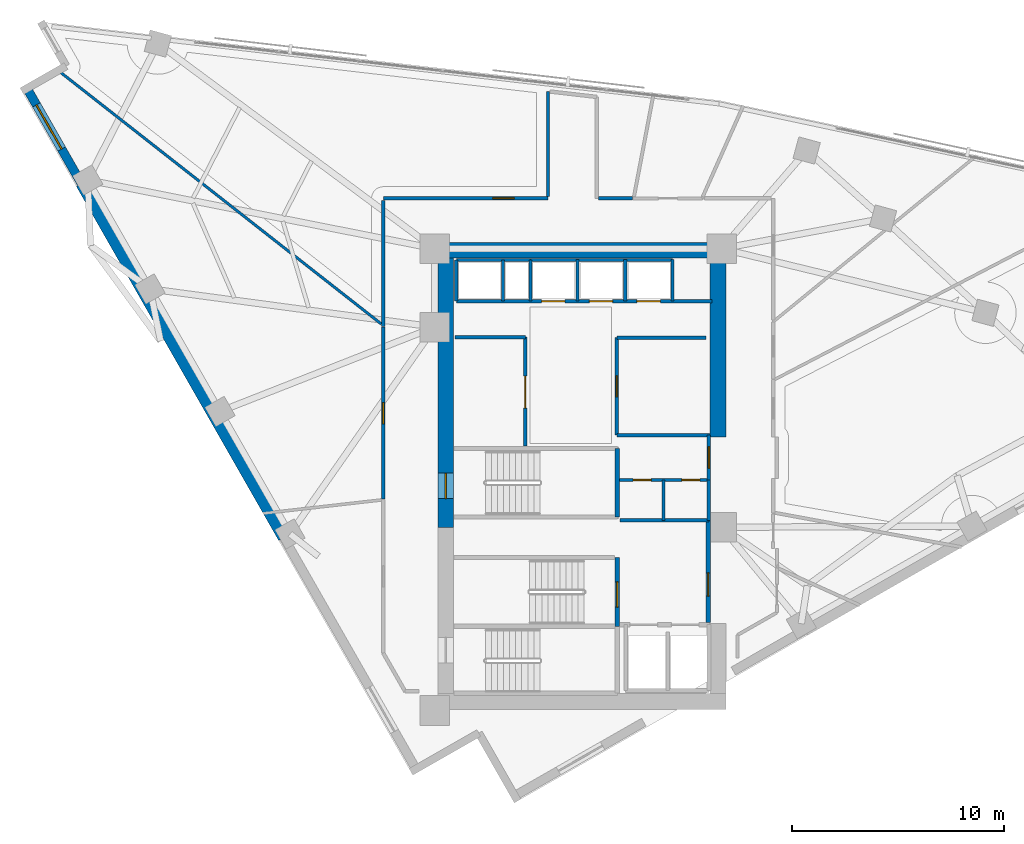
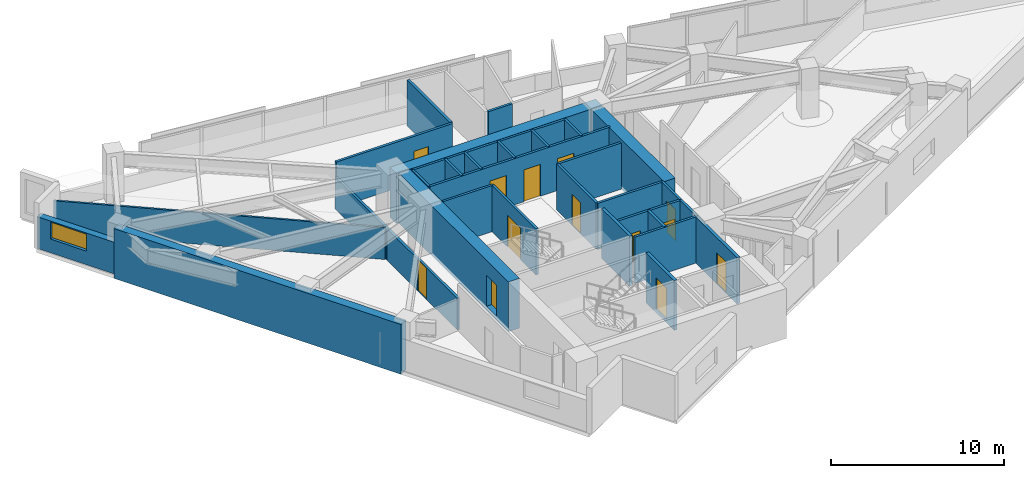
# One storey, part 9 of 13: 33 walls, 13 doors, 1 window, 14 openings.
"""IFC4 building model written with IfcOpenShell, lengths in metres."""

import ifcopenshell
import ifcopenshell.guid

model = None  # the IFC model being written
_history = None  # IfcOwnerHistory: only IFC2X3 demands one
_inside = {}  # id of a spatial element -> (the spatial element, [elements in it])
_under = {}  # id of a project, library or spatial element -> (it, [spatial elements below it])
_declared = {}  # id of a project -> (the project, [libraries it declares])
_typed = {}  # id of a type object -> (the type object, [elements of that type])
_made_of = {}  # id of a material, layer set ... -> (it, [elements and type objects made of it])


def new_model(schema):
    """Start an empty IFC model of exactly this schema.

    Asked for "IFC4X3", IfcOpenShell would pick the latest addendum, in which some entities
    have other attributes; the version numbers below select the first issue.
    IFC2X3 requires an IfcOwnerHistory on every rooted entity: one is made here for all.
    """
    global model, _history
    if schema == "IFC4X3":
        model = ifcopenshell.file(schema_version=(4, 3, 0, 0))
    else:
        model = ifcopenshell.file(schema=schema)
    _inside.clear()
    _under.clear()
    _declared.clear()
    _typed.clear()
    _made_of.clear()
    _history = None
    if model.schema == "IFC2X3":
        org = make("IfcOrganization", Name="unknown")
        user = make(
            "IfcPersonAndOrganization",
            ThePerson=make("IfcPerson", FamilyName="unknown"),
            TheOrganization=org,
        )
        app = make(
            "IfcApplication",
            ApplicationDeveloper=org,
            Version="unknown",
            ApplicationFullName="unknown",
            ApplicationIdentifier="unknown",
        )
        _history = make(
            "IfcOwnerHistory",
            OwningUser=user,
            OwningApplication=app,
            ChangeAction="ADDED",
            CreationDate=0,
        )
    return model


def make(cls, **values):
    """One entity of the class cls with the attributes given. An attribute that is None is left unset."""
    return model.create_entity(
        cls, **{name: value for name, value in values.items() if value is not None}
    )


def rooted(cls, **values):
    """An entity with a GlobalId (a new one), such as an element, a storey or a relation."""
    return make(cls, GlobalId=ifcopenshell.guid.new(), OwnerHistory=_history, **values)


def si_unit(unit_type, name, prefix=None):
    """IfcSIUnit, for example si_unit("LENGTHUNIT", "METRE", prefix="MILLI")."""
    return make("IfcSIUnit", UnitType=unit_type, Prefix=prefix, Name=name)


def assignment(units):
    """IfcUnitAssignment: the units of a project."""
    return None if units is None else make("IfcUnitAssignment", Units=units)


def point(xyz):
    """IfcCartesianPoint."""
    return None if xyz is None else make("IfcCartesianPoint", Coordinates=xyz)


def direction(xyz):
    """IfcDirection."""
    return None if xyz is None else make("IfcDirection", DirectionRatios=xyz)


def frame(location, z_axis=None, x_axis=None):
    """IfcAxis2Placement3D, a coordinate frame: its origin and axes. An axis left out is left unset."""
    return make(
        "IfcAxis2Placement3D",
        Location=point(location),
        Axis=direction(z_axis),
        RefDirection=direction(x_axis),
    )


def frame_2d(location, x_axis=None):
    """IfcAxis2Placement2D, a coordinate frame in the plane: its origin and x axis."""
    return make(
        "IfcAxis2Placement2D", Location=point(location), RefDirection=direction(x_axis)
    )


def origin():
    """The frame at (0, 0, 0) with its axes left unset."""
    return frame((0.0, 0.0, 0.0))


def place(relative_to, where):
    """IfcLocalPlacement: puts the frame where relative to a parent placement (None: the world)."""
    return make(
        "IfcLocalPlacement", PlacementRelTo=relative_to, RelativePlacement=where
    )


def context(
    kind, dimensions, precision=None, world=None, true_north=None, identifier=None
):
    """IfcGeometricRepresentationContext, for example the 3D "Model" context."""
    return make(
        "IfcGeometricRepresentationContext",
        ContextIdentifier=identifier,
        ContextType=kind,
        CoordinateSpaceDimension=dimensions,
        Precision=precision,
        WorldCoordinateSystem=world,
        TrueNorth=true_north,
    )


def subcontext(parent, identifier, kind, view, scale=None):
    """IfcGeometricRepresentationSubContext, for example "Body" below "Model"."""
    return make(
        "IfcGeometricRepresentationSubContext",
        ContextIdentifier=identifier,
        ContextType=kind,
        ParentContext=parent,
        TargetScale=scale,
        TargetView=view,
    )


def project(units=None, contexts=None):
    """IfcProject with its units and contexts."""
    return rooted(
        "IfcProject",
        Name="project",
        RepresentationContexts=contexts,
        UnitsInContext=assignment(units),
    )


def spatial(cls, under=None, at=None, **own):
    """A site, building, storey or space (cls), placed at a placement, below another one or the project."""
    s = rooted(cls, ObjectPlacement=at, **own)
    if under is not None:
        _under.setdefault(under.id(), (under, []))[1].append(s)
    return s


def profile(cls, at=None, kind="AREA", **sizes):
    """A parametric profile (cls). Its sizes go by their IFC names, for example OverallWidth=200.0."""
    return make(cls, ProfileType=kind, Position=at, **sizes)


def rectangle(**sizes):
    """IfcRectangleProfileDef."""
    return profile("IfcRectangleProfileDef", **sizes)


def extrude(swept, where, along, depth):
    """IfcExtrudedAreaSolid: the profile swept, set in the frame where, extruded along a direction by depth."""
    return make(
        "IfcExtrudedAreaSolid",
        SweptArea=swept,
        Position=where,
        ExtrudedDirection=direction(along),
        Depth=depth,
    )


def shape(context_of_items, identifier, shape_type, items):
    """IfcShapeRepresentation: the items that make up one representation, for example the "Body"."""
    return make(
        "IfcShapeRepresentation",
        ContextOfItems=context_of_items,
        RepresentationIdentifier=identifier,
        RepresentationType=shape_type,
        Items=items,
    )


def material(Name=None, Category=None):
    """IfcMaterial."""
    return make("IfcMaterial", Name=Name, Category=Category)


def layer(
    of_material, thickness, ventilated=None, Name=None, Category=None, Priority=None
):
    """IfcMaterialLayer: one layer of a wall or slab, of a material (None: an air gap)."""
    return make(
        "IfcMaterialLayer",
        Material=of_material,
        LayerThickness=thickness,
        IsVentilated=ventilated,
        Name=Name,
        Category=Category,
        Priority=Priority,
    )


def layer_set(layers, Name=None):
    """IfcMaterialLayerSet."""
    return make("IfcMaterialLayerSet", MaterialLayers=layers, LayerSetName=Name)


def made_of(thing, what):
    """Note that an element or type object is made of a material, layer set ...; save() writes the relation."""
    if what is not None:
        _made_of.setdefault(what.id(), (what, []))[1].append(thing)
    return thing


def type_object(cls, material=None, **own):
    """A type object (cls), such as IfcWallType, which elements share."""
    return made_of(rooted(cls, **own), material)


def element(
    cls,
    number,
    at=None,
    inside=None,
    cuts=None,
    type_object=None,
    material=None,
    context=None,
    identifier="Body",
    shape_type=None,
    held_by="IfcProductDefinitionShape",
    body=None,
    shapes=None,
    **own,
):
    """One element of the class cls, such as IfcWall. Its Tag is "e" and its number.

    at: its placement. inside: the storey or other place that contains it. cuts: it is an
    opening in that element (IfcRelVoidsElement). A single representation is given by context,
    identifier, shape_type and body (its items); several are given by shapes. held_by: the class
    of the entity that holds the representations. save() writes the other relations.
    """
    e = rooted(cls, Tag="e%d" % number, ObjectPlacement=at, **own)
    if body is not None:
        shapes = [shape(context, identifier, shape_type, body)]
    if shapes is not None:
        e.Representation = make(held_by, Representations=shapes)
    if inside is not None:
        _inside.setdefault(inside.id(), (inside, []))[1].append(e)
    if cuts is not None:
        rooted(
            "IfcRelVoidsElement", RelatingBuildingElement=cuts, RelatedOpeningElement=e
        )
    if type_object is not None:
        _typed.setdefault(type_object.id(), (type_object, []))[1].append(e)
    return made_of(e, material)


def fill(opening, filler):
    """IfcRelFillsElement: the door or window that sits in an opening."""
    return rooted(
        "IfcRelFillsElement",
        RelatingOpeningElement=opening,
        RelatedBuildingElement=filler,
    )


def aggregate(whole, parts):
    """IfcRelAggregates: a whole, such as a stair, and the parts it consists of."""
    return rooted("IfcRelAggregates", RelatingObject=whole, RelatedObjects=parts)


def save(model, path):
    """Write the relations noted so far, then the file.

    IfcRelAggregates (storeys below a building ...), IfcRelContainedInSpatialStructure (elements
    in a storey), IfcRelDefinesByType, IfcRelAssociatesMaterial and IfcRelDeclares: one each for
    every whole, place, type object, material and project.
    """
    for whole, parts in _under.values():
        aggregate(whole, parts)
    for where, things in _inside.values():
        rooted(
            "IfcRelContainedInSpatialStructure",
            RelatedElements=things,
            RelatingStructure=where,
        )
    for kind, things in _typed.values():
        rooted("IfcRelDefinesByType", RelatedObjects=things, RelatingType=kind)
    for what, things in _made_of.values():
        rooted("IfcRelAssociatesMaterial", RelatedObjects=things, RelatingMaterial=what)
    for by, libraries in _declared.values():
        rooted("IfcRelDeclares", RelatingContext=by, RelatedDefinitions=libraries)
    model.write(path)


model = new_model("IFC4")

# Units and contexts
model_context = context("Model", 3, precision=1e-05, world=origin(), true_north=direction((0.0, 1.0)))
body_context = subcontext(model_context, "Body", "Model", "MODEL_VIEW")
ifc_project = project(units=[si_unit("LENGTHUNIT", "METRE"), si_unit("AREAUNIT", "SQUARE_METRE"), si_unit("VOLUMEUNIT", "CUBIC_METRE"), si_unit("PLANEANGLEUNIT", "RADIAN"), si_unit("MASSUNIT", "GRAM", prefix="KILO")], contexts=[model_context])

# Site, building, storey
site_placement = place(None, origin())
site = spatial("IfcSite", under=ifc_project, at=site_placement, CompositionType="ELEMENT")
building_placement = place(site_placement, origin())
building = spatial("IfcBuilding", under=site, at=building_placement, Name="Narakoshi Arena Tower", CompositionType="ELEMENT")
storey_placement = place(building_placement, frame((0.0, 0.0, 229.06005859375)))
storey = spatial("IfcBuildingStorey", under=building, at=storey_placement, Name="L62", CompositionType="ELEMENT", Elevation=229.06005859375)

# Wall, opening, door
ifc_material_1 = material(Name="Concrete C50/60", Category="concrete")
ifc_layer_1 = layer(ifc_material_1, 0.75)
ifc_layer_set_1 = layer_set([ifc_layer_1], Name="Concrete C50/60")
wall_type_1 = type_object("IfcWallType", Name="WL-CORE-750", PredefinedType="SHEAR", material=ifc_layer_set_1)
wall_1_placement = place(storey_placement, frame((72.52490234375, 43.35009765625, -0.260009765625), z_axis=(0.0, 0.0, 1.0), x_axis=(0.0, 1.0, 0.0)))
wall_1 = element("IfcWall", 1, at=wall_1_placement, inside=storey, type_object=wall_type_1, Name="L62 Main Core Shear Wall CW-MN-W", PredefinedType="SHEAR", context=body_context, shape_type="SweptSolid", body=[
    extrude(rectangle(XDim=12.699951171875, YDim=0.75, at=frame_2d((6.35009765625, 0.0))), origin(), (0.0, 0.0, 1.0), 3.52001953125),
])
opening_1_placement = place(wall_1_placement, frame((1.35009765625, 0.0, 0.260009765625)))
opening_1 = element("IfcOpeningElement", 2, at=opening_1_placement, cuts=wall_1, Name="Opening D-03", PredefinedType="OPENING", context=body_context, shape_type="SweptSolid", body=[
    extrude(rectangle(XDim=1.199951171875, YDim=2.199951171875, at=frame_2d((0.60009765625, 1.10009765625))), frame((0.0, 0.385009765625, 0.0), z_axis=(0.0, -1.0, 0.0), x_axis=(1.0, 0.0, 0.0)), (0.0, 0.0, 1.0), 0.77001953125),
])
ifc_material_2 = material(Name="Painted galvanized steel", Category="steel")
door_type_1 = type_object("IfcDoorType", Name="DR-STR-1200", OperationType="NOTDEFINED", PredefinedType="USERDEFINED", material=ifc_material_2)
door_1_placement = place(opening_1_placement, frame((1.199951171875, 0.0, 0.0), z_axis=(0.0, 0.0, 1.0), x_axis=(-1.0, 0.0, 0.0)))
door_1 = element("IfcDoor", 3, at=door_1_placement, inside=storey, type_object=door_type_1, Name="DR-L62-006", ObjectType="EXITDOOR", OperationType="SINGLE_SWING_LEFT", OverallHeight=2.199951171875, OverallWidth=1.199951171875, PredefinedType="USERDEFINED", context=body_context, shape_type="SweptSolid", body=[
    extrude(rectangle(XDim=1.199951171875, YDim=2.199951171875, at=frame_2d((0.60009765625, 1.10009765625))), frame((0.0, 0.02490234375, 0.0), z_axis=(0.0, -1.0, 0.0), x_axis=(1.0, 0.0, 0.0)), (0.0, 0.0, 1.0), 0.050048828125),
])
fill(opening_1, door_1)

# Walls
wall_2_placement = place(storey_placement, frame((72.0, 56.425048828125, -0.260009765625), z_axis=(0.0, 0.0, 1.0), x_axis=(1.0, 0.0, 0.0)))
element("IfcWall", 4, at=wall_2_placement, inside=storey, type_object=wall_type_1, Name="L62 Main Core Shear Wall CW-MN-N", PredefinedType="SHEAR", context=body_context, shape_type="SweptSolid", body=[
    extrude(rectangle(XDim=13.75, YDim=0.75, at=frame_2d((6.875, 0.0))), origin(), (0.0, 0.0, 1.0), 3.52001953125),
])
wall_3_placement = place(storey_placement, frame((85.375, 47.60009765625, -0.260009765625), z_axis=(0.0, 0.0, 1.0), x_axis=(0.0, 1.0, 0.0)))
element("IfcWall", 5, at=wall_3_placement, inside=storey, type_object=wall_type_1, Name="L62 Main Core Shear Wall CW-MN-E", PredefinedType="SHEAR", context=body_context, shape_type="SweptSolid", body=[
    extrude(rectangle(XDim=8.449951171875, YDim=0.75, at=frame_2d((4.22509765625, 0.0))), origin(), (0.0, 0.0, 1.0), 3.52001953125),
])

# Wall, opening, door
ifc_material_3 = material(Name="Gypsum plasterboard fire-rated partition")
ifc_layer_2 = layer(ifc_material_3, 0.1650390625)
ifc_layer_set_2 = layer_set([ifc_layer_2], Name="Gypsum plasterboard fire-rated partition")
wall_type_2 = type_object("IfcWallType", Name="WL-CORR-165", PredefinedType="PARTITIONING", material=ifc_layer_set_2)
wall_4_placement = place(storey_placement, frame((84.949951171875, 45.580078125, 0.0), z_axis=(0.0, 0.0, 1.0), x_axis=(0.0, 1.0, 0.0)))
wall_4 = element("IfcWall", 6, at=wall_4_placement, inside=storey, type_object=wall_type_2, Name="L62 Core Wall CPAS-E", PredefinedType="PARTITIONING", context=body_context, shape_type="SweptSolid", body=[
    extrude(rectangle(XDim=2.119873046875, YDim=0.1650390625, at=frame_2d((1.06005859375, 0.0))), origin(), (0.0, 0.0, 1.0), 3.260009765625),
])
opening_2_placement = place(wall_4_placement, frame((0.56005859375, 0.0, 0.0)))
opening_2 = element("IfcOpeningElement", 7, at=opening_2_placement, cuts=wall_4, Name="Opening D-06", PredefinedType="OPENING", context=body_context, shape_type="SweptSolid", body=[
    extrude(rectangle(XDim=1.0, YDim=2.199951171875, at=frame_2d((0.5, 1.10009765625))), frame((0.0, 0.092529296875, 0.0), z_axis=(0.0, -1.0, 0.0), x_axis=(1.0, 0.0, 0.0)), (0.0, 0.0, 1.0), 0.18505859375),
])
ifc_material_4 = material(Name="Stained oak solid-core timber", Category="wood")
door_type_2 = type_object("IfcDoorType", Name="DR-OFF-1000", OperationType="NOTDEFINED", PredefinedType="DOOR", material=ifc_material_4)
door_2_placement = place(opening_2_placement, frame((1.0, 0.0, 0.0), z_axis=(0.0, 0.0, 1.0), x_axis=(-1.0, 0.0, 0.0)))
door_2 = element("IfcDoor", 8, at=door_2_placement, inside=storey, type_object=door_type_2, Name="DR-L62-007", OperationType="SINGLE_SWING_LEFT", OverallHeight=2.199951171875, OverallWidth=1.0, PredefinedType="DOOR", context=body_context, shape_type="SweptSolid", body=[
    extrude(rectangle(XDim=1.0, YDim=2.199951171875, at=frame_2d((0.5, 1.10009765625))), frame((0.0, 0.02490234375, 0.0), z_axis=(0.0, -1.0, 0.0), x_axis=(1.0, 0.0, 0.0)), (0.0, 0.0, 1.0), 0.050048828125),
])
fill(opening_2, door_2)

wall_5_placement = place(storey_placement, frame((77.35009765625, 58.87646484375, 0.0), z_axis=(0.0, 0.0, 1.0), x_axis=(-1.0, 0.0, 0.0)))
wall_5 = element("IfcWall", 9, at=wall_5_placement, inside=storey, type_object=wall_type_2, Name="L62 Corridor Partition 08-1", PredefinedType="PARTITIONING", context=body_context, shape_type="SweptSolid", body=[
    extrude(rectangle(XDim=7.776611328125, YDim=0.1650390625, at=frame_2d((3.88818359375, 0.0))), origin(), (0.0, 0.0, 1.0), 3.260009765625),
])
opening_3_placement = place(wall_5_placement, frame((1.602783203125, 0.0, 0.0)))
opening_3 = element("IfcOpeningElement", 10, at=opening_3_placement, cuts=wall_5, Name="Opening D-06", PredefinedType="OPENING", context=body_context, shape_type="SweptSolid", body=[
    extrude(rectangle(XDim=1.0, YDim=2.199951171875, at=frame_2d((0.5, 1.10009765625))), frame((0.0, 0.092529296875, 0.0), z_axis=(0.0, -1.0, 0.0), x_axis=(1.0, 0.0, 0.0)), (0.0, 0.0, 1.0), 0.18505859375),
])
door_3_placement = place(opening_3_placement, frame((1.0, 0.0, 0.0), z_axis=(0.0, 0.0, 1.0), x_axis=(-1.0, 0.0, 0.0)))
door_3 = element("IfcDoor", 11, at=door_3_placement, inside=storey, type_object=door_type_2, Name="DR-L62-022", OperationType="SINGLE_SWING_LEFT", OverallHeight=2.199951171875, OverallWidth=1.0, PredefinedType="DOOR", context=body_context, shape_type="SweptSolid", body=[
    extrude(rectangle(XDim=1.0, YDim=2.199951171875, at=frame_2d((0.5, 1.10009765625))), frame((0.0, 0.02490234375, 0.0), z_axis=(0.0, -1.0, 0.0), x_axis=(1.0, 0.0, 0.0)), (0.0, 0.0, 1.0), 0.050048828125),
])
fill(opening_3, door_3)

# Walls
wall_6_placement = place(storey_placement, frame((69.573486328125, 58.781982421875, 0.0), z_axis=(0.0, 0.0, 1.0), x_axis=(0.0, -1.0, 0.0)))
element("IfcWall", 12, at=wall_6_placement, inside=storey, type_object=wall_type_2, Name="L62 Corridor Partition 08-2", PredefinedType="PARTITIONING", context=body_context, shape_type="SweptSolid", body=[
    extrude(rectangle(XDim=5.952880859375, YDim=0.1650390625, at=frame_2d((2.9765625, 0.0))), origin(), (0.0, 0.0, 1.0), 2.237060546875),
])
wall_7_placement = place(storey_placement, frame((77.35009765625, 63.930908203125, 0.0), z_axis=(0.0, 0.0, 1.0), x_axis=(0.0, -1.0, 0.0)))
element("IfcWall", 13, at=wall_7_placement, inside=storey, type_object=wall_type_2, Name="L62 Corridor Partition 08-3", PredefinedType="PARTITIONING", context=body_context, shape_type="SweptSolid", body=[
    extrude(rectangle(XDim=4.9599609375, YDim=0.1650390625, at=frame_2d((2.47998046875, 0.0))), origin(), (0.0, 0.0, 1.0), 3.260009765625),
])
wall_8_placement = place(storey_placement, frame((81.33251953125, 58.87646484375, 0.0), z_axis=(0.0, 0.0, 1.0), x_axis=(-1.0, 0.0, 0.0)))
element("IfcWall", 14, at=wall_8_placement, inside=storey, type_object=wall_type_2, Name="L62 Corridor Partition 08-6", PredefinedType="PARTITIONING", context=body_context, shape_type="SweptSolid", body=[
    extrude(rectangle(XDim=1.588134765625, YDim=0.1650390625, at=frame_2d((0.7939453125, 0.0))), origin(), (0.0, 0.0, 1.0), 3.260009765625),
])

# Wall, opening, door
wall_9_placement = place(storey_placement, frame((69.573486328125, 52.798828125, 0.0), z_axis=(0.0, 0.0, 1.0), x_axis=(0.0, -1.0, 0.0)))
wall_9 = element("IfcWall", 15, at=wall_9_placement, inside=storey, type_object=wall_type_2, Name="L62 Corridor Partition 09-1", PredefinedType="PARTITIONING", context=body_context, shape_type="SweptSolid", body=[
    extrude(rectangle(XDim=8.125244140625, YDim=0.1650390625, at=frame_2d((4.0625, 0.0))), origin(), (0.0, 0.0, 1.0), 2.237060546875),
])
opening_4_placement = place(wall_9_placement, frame((3.5625, 0.0, 0.0)))
opening_4 = element("IfcOpeningElement", 16, at=opening_4_placement, cuts=wall_9, Name="Opening D-06", PredefinedType="OPENING", context=body_context, shape_type="SweptSolid", body=[
    extrude(rectangle(XDim=1.0, YDim=2.199951171875, at=frame_2d((0.5, 1.10009765625))), frame((0.0, 0.092529296875, 0.0), z_axis=(0.0, -1.0, 0.0), x_axis=(1.0, 0.0, 0.0)), (0.0, 0.0, 1.0), 0.18505859375),
])
door_4_placement = place(opening_4_placement, frame((1.0, 0.0, 0.0), z_axis=(0.0, 0.0, 1.0), x_axis=(-1.0, 0.0, 0.0)))
door_4 = element("IfcDoor", 17, at=door_4_placement, inside=storey, type_object=door_type_2, Name="DR-L62-023", OperationType="SINGLE_SWING_RIGHT", OverallHeight=2.199951171875, OverallWidth=1.0, PredefinedType="DOOR", context=body_context, shape_type="SweptSolid", body=[
    extrude(rectangle(XDim=1.0, YDim=2.199951171875, at=frame_2d((0.5, 1.10009765625))), frame((0.0, 0.02490234375, 0.0), z_axis=(0.0, -1.0, 0.0), x_axis=(1.0, 0.0, 0.0)), (0.0, 0.0, 1.0), 0.050048828125),
])
fill(opening_4, door_4)

# Walls
ifc_layer_3 = layer(ifc_material_1, 0.550048828125)
ifc_layer_set_3 = layer_set([ifc_layer_3], Name="Concrete C50/60")
wall_type_3 = type_object("IfcWallType", Name="WL-LEG-550", PredefinedType="SHEAR", material=ifc_layer_set_3)
wall_10_placement = place(storey_placement, frame((55.3251953125, 59.5703125, -0.260009765625), z_axis=(0.0, 0.0, 1.0), x_axis=(0.496211351597, -0.868201759124, 0.0)))
element("IfcWall", 18, at=wall_10_placement, inside=storey, type_object=wall_type_3, Name="L62 Architectural Concrete Structural Wall LEGB-2", PredefinedType="SHEAR", context=body_context, shape_type="SweptSolid", body=[
    extrude(rectangle(XDim=19.242919921875, YDim=0.550048828125, at=frame_2d((9.62158203125, 0.0))), origin(), (0.0, 0.0, 1.0), 3.52001953125),
])
ifc_layer_4 = layer(ifc_material_3, 0.125)
ifc_layer_set_4 = layer_set([ifc_layer_4], Name="Gypsum plasterboard fire-rated partition")
wall_type_4 = type_object("IfcWallType", Name="WL-PART-125", PredefinedType="PARTITIONING", material=ifc_layer_set_4)
wall_11_placement = place(storey_placement, frame((69.47900390625, 52.948974609375, 0.0), z_axis=(0.0, 0.0, 1.0), x_axis=(-0.786818994279, 0.617183822084, 0.0)))
element("IfcWall", 19, at=wall_11_placement, inside=storey, type_object=wall_type_4, Name="L62 Inter-Room Partition 08-09", PredefinedType="PARTITIONING", context=body_context, shape_type="SweptSolid", body=[
    extrude(rectangle(XDim=19.3818359375, YDim=0.125, at=frame_2d((9.69091796875, 0.0))), origin(), (0.0, 0.0, 1.0), 2.237060546875),
])

# Wall, opening, window
ifc_material_5 = material(Name="Precast concrete C45/55", Category="concrete")
ifc_layer_5 = layer(ifc_material_5, 0.419921875)
ifc_layer_set_5 = layer_set([ifc_layer_5], Name="Precast concrete C45/55")
wall_type_5 = type_object("IfcWallType", Name="WL-POD-420", PredefinedType="SOLIDWALL", material=ifc_layer_set_5)
wall_12_placement = place(storey_placement, frame((52.75439453125, 64.068359375, 0.0), z_axis=(0.0, 0.0, 1.0), x_axis=(0.496209984367, -0.868202540548, 0.0)))
wall_12 = element("IfcWall", 20, at=wall_12_placement, inside=storey, type_object=wall_type_5, Name="L62 Architectural Concrete Facade Wall LEGB-1", PredefinedType="SOLIDWALL", context=body_context, shape_type="SweptSolid", body=[
    extrude(rectangle(XDim=5.180908203125, YDim=0.419921875, at=frame_2d((2.59033203125, 0.0))), origin(), (0.0, 0.0, 1.0), 2.237060546875),
])
opening_5_placement = place(wall_12_placement, frame((0.89990234375, 0.0, 0.95703125)))
opening_5 = element("IfcOpeningElement", 21, at=opening_5_placement, cuts=wall_12, Name="Opening WN-04", PredefinedType="OPENING", context=body_context, shape_type="SweptSolid", body=[
    extrude(rectangle(XDim=2.39990234375, YDim=1.199951171875, at=frame_2d((1.199951171875, 0.60009765625))), frame((0.0, 0.219970703125, 0.0), z_axis=(0.0, -1.0, 0.0), x_axis=(1.0, 0.0, 0.0)), (0.0, 0.0, 1.0), 0.43994140625),
])
ifc_material_6 = material(Name="Bronze-tinted low-E laminated glass", Category="glass")
window_type = type_object("IfcWindowType", Name="WIN-SLT-24x12", PartitioningType="SINGLE_PANEL", PredefinedType="WINDOW", material=ifc_material_6)
window_placement = place(opening_5_placement, origin())
window = element("IfcWindow", 22, at=window_placement, inside=storey, type_object=window_type, Name="L62 LEGB1 Horizontal Slot Window 1", OverallHeight=1.199951171875, OverallWidth=2.39990234375, PartitioningType="SINGLE_PANEL", PredefinedType="WINDOW", context=body_context, shape_type="SweptSolid", body=[
    extrude(rectangle(XDim=2.39990234375, YDim=1.199951171875, at=frame_2d((1.199951171875, 0.60009765625))), frame((0.0, 0.030029296875, 0.0), z_axis=(0.0, -1.0, 0.0), x_axis=(1.0, 0.0, 0.0)), (0.0, 0.0, 1.0), 0.06005859375),
])
fill(opening_5, window)

# Wall
ifc_material_7 = material(Name="Concrete C40/50", Category="concrete")
ifc_layer_6 = layer(ifc_material_7, 0.280029296875)
ifc_layer_set_6 = layer_set([ifc_layer_6], Name="Concrete C40/50")
wall_type_6 = type_object("IfcWallType", Name="WL-RISER-280", PredefinedType="PLUMBINGWALL", material=ifc_layer_set_6)
wall_13_placement = place(storey_placement, frame((84.949951171875, 43.679931640625, 0.0), z_axis=(0.0, 0.0, 1.0), x_axis=(0.0, 1.0, 0.0)))
element("IfcWall", 23, at=wall_13_placement, inside=storey, type_object=wall_type_6, Name="L62 Core Wall RSR-E", PredefinedType="PLUMBINGWALL", context=body_context, shape_type="SweptSolid", body=[
    extrude(rectangle(XDim=1.900146484375, YDim=0.1650390625, at=frame_2d((0.9501953125, 0.0))), origin(), (0.0, 0.0, 1.0), 3.260009765625),
])

# Wall, openings, doors
wall_14_placement = place(storey_placement, frame((80.719970703125, 45.580078125, 0.0), z_axis=(0.0, 0.0, 1.0), x_axis=(1.0, 0.0, 0.0)))
wall_14 = element("IfcWall", 24, at=wall_14_placement, inside=storey, type_object=wall_type_6, Name="L62 Core Wall RSR-N", PredefinedType="PLUMBINGWALL", context=body_context, shape_type="SweptSolid", body=[
    extrude(rectangle(XDim=4.22998046875, YDim=0.159912109375, at=frame_2d((2.114990234375, 0.0))), origin(), (0.0, 0.0, 1.0), 3.260009765625),
])
opening_6_placement = place(wall_14_placement, frame((0.64990234375, 0.0, 0.0)))
opening_6 = element("IfcOpeningElement", 25, at=opening_6_placement, cuts=wall_14, Name="Opening D-10", PredefinedType="OPENING", context=body_context, shape_type="SweptSolid", body=[
    extrude(rectangle(XDim=0.85009765625, YDim=2.050048828125, at=frame_2d((0.425048828125, 1.02490234375))), frame((0.0, 0.08984375, 0.0), z_axis=(0.0, -1.0, 0.0), x_axis=(1.0, 0.0, 0.0)), (0.0, 0.0, 1.0), 0.179931640625),
])
opening_7_placement = place(wall_14_placement, frame((2.949951171875, 0.0, 0.0)))
opening_7 = element("IfcOpeningElement", 26, at=opening_7_placement, cuts=wall_14, Name="Opening D-10", PredefinedType="OPENING", context=body_context, shape_type="SweptSolid", body=[
    extrude(rectangle(XDim=0.85009765625, YDim=2.050048828125, at=frame_2d((0.425048828125, 1.02490234375))), frame((0.0, 0.08984375, 0.0), z_axis=(0.0, -1.0, 0.0), x_axis=(1.0, 0.0, 0.0)), (0.0, 0.0, 1.0), 0.179931640625),
])
door_type_3 = type_object("IfcDoorType", Name="DR-RSR-850", OperationType="NOTDEFINED", PredefinedType="DOOR", material=ifc_material_2)
door_5_placement = place(opening_6_placement, frame((0.85009765625, 0.0, 0.0), z_axis=(0.0, 0.0, 1.0), x_axis=(-1.0, 0.0, 0.0)))
door_5 = element("IfcDoor", 27, at=door_5_placement, inside=storey, type_object=door_type_3, Name="DR-L62-008", OperationType="SINGLE_SWING_LEFT", OverallHeight=2.050048828125, OverallWidth=0.85009765625, PredefinedType="DOOR", context=body_context, shape_type="SweptSolid", body=[
    extrude(rectangle(XDim=0.85009765625, YDim=2.050048828125, at=frame_2d((0.425048828125, 1.02490234375))), frame((0.0, 0.02490234375, 0.0), z_axis=(0.0, -1.0, 0.0), x_axis=(1.0, 0.0, 0.0)), (0.0, 0.0, 1.0), 0.050048828125),
])
fill(opening_6, door_5)
door_6_placement = place(opening_7_placement, frame((0.85009765625, 0.0, 0.0), z_axis=(0.0, 0.0, 1.0), x_axis=(-1.0, 0.0, 0.0)))
door_6 = element("IfcDoor", 28, at=door_6_placement, inside=storey, type_object=door_type_3, Name="DR-L62-009", OperationType="SINGLE_SWING_RIGHT", OverallHeight=2.050048828125, OverallWidth=0.85009765625, PredefinedType="DOOR", context=body_context, shape_type="SweptSolid", body=[
    extrude(rectangle(XDim=0.85009765625, YDim=2.050048828125, at=frame_2d((0.425048828125, 1.02490234375))), frame((0.0, 0.02490234375, 0.0), z_axis=(0.0, -1.0, 0.0), x_axis=(1.0, 0.0, 0.0)), (0.0, 0.0, 1.0), 0.050048828125),
])
fill(opening_7, door_6)

# Walls
wall_15_placement = place(storey_placement, frame((80.760009765625, 43.679931640625, 0.0), z_axis=(0.0, 0.0, 1.0), x_axis=(1.0, 0.0, 0.0)))
element("IfcWall", 29, at=wall_15_placement, inside=storey, type_object=wall_type_6, Name="L62 Core Wall RSR-S", PredefinedType="PLUMBINGWALL", context=body_context, shape_type="SweptSolid", body=[
    extrude(rectangle(XDim=4.18994140625, YDim=0.159912109375, at=frame_2d((2.094970703125, 0.0))), origin(), (0.0, 0.0, 1.0), 3.260009765625),
])
wall_16_placement = place(storey_placement, frame((82.800048828125, 43.679931640625, 0.0), z_axis=(0.0, 0.0, 1.0), x_axis=(0.0, 1.0, 0.0)))
element("IfcWall", 30, at=wall_16_placement, inside=storey, type_object=wall_type_6, Name="L62 Core Wall RSR-M", PredefinedType="PLUMBINGWALL", context=body_context, shape_type="SweptSolid", body=[
    extrude(rectangle(XDim=1.900146484375, YDim=0.159912109375, at=frame_2d((0.9501953125, 0.0))), origin(), (0.0, 0.0, 1.0), 3.260009765625),
])
for number, where, z_axis, x_axis, name in (
    (31, (73.02001953125, 54.02001953125, 0.0), (0.0, 0.0, 1.0), (0.0, 1.0, 0.0), "L62 Core Wall OBS-W"),
    (32, (75.219970703125, 54.02001953125, 0.0), (0.0, 0.0, 1.0), (0.0, 1.0, 0.0), "L62 Core Wall OBS-M"),
):
    element("IfcWall", number, at=place(storey_placement, frame(where, z_axis=z_axis, x_axis=x_axis)), inside=storey, type_object=wall_type_6, Name=name, PredefinedType="PLUMBINGWALL", context=body_context, shape_type="SweptSolid", body=[
        extrude(rectangle(XDim=1.93994140625, YDim=0.14990234375, at=frame_2d((0.969970703125, 0.0))), origin(), (0.0, 0.0, 1.0), 3.260009765625),
    ])
for number, where, z_axis, x_axis, name in (
    (33, (78.75, 54.02001953125, 0.0), (0.0, 0.0, 1.0), (0.0, 1.0, 0.0), "L62 Core Wall HR-D1"),
    (34, (81.0, 54.02001953125, 0.0), (0.0, 0.0, 1.0), (0.0, 1.0, 0.0), "L62 Core Wall HR-D2"),
):
    element("IfcWall", number, at=place(storey_placement, frame(where, z_axis=z_axis, x_axis=x_axis)), inside=storey, type_object=wall_type_6, Name=name, PredefinedType="PLUMBINGWALL", context=body_context, shape_type="SweptSolid", body=[
        extrude(rectangle(XDim=1.9599609375, YDim=0.14990234375, at=frame_2d((0.97998046875, 0.0))), origin(), (0.0, 0.0, 1.0), 3.260009765625),
    ])

# Wall, opening, door
ifc_layer_7 = layer(ifc_material_1, 0.35009765625)
ifc_layer_set_7 = layer_set([ifc_layer_7], Name="Concrete C50/60")
wall_type_7 = type_object("IfcWallType", Name="WL-SHAFT-350", PredefinedType="SOLIDWALL", material=ifc_layer_set_7)
wall_17_placement = place(storey_placement, frame((80.6201171875, 38.675048828125, -0.260009765625), z_axis=(0.0, 0.0, 1.0), x_axis=(0.0, 1.0, 0.0)))
wall_17 = element("IfcWall", 35, at=wall_17_placement, inside=storey, type_object=wall_type_7, Name="L62 Core Wall ST2-E", PredefinedType="SOLIDWALL", context=body_context, shape_type="SweptSolid", body=[
    extrude(rectangle(XDim=3.244873046875, YDim=0.199951171875, at=frame_2d((1.62255859375, 0.0))), origin(), (0.0, 0.0, 1.0), 3.52001953125),
])
opening_8_placement = place(wall_17_placement, frame((0.89990234375, 0.0, 0.260009765625)))
opening_8 = element("IfcOpeningElement", 36, at=opening_8_placement, cuts=wall_17, Name="Opening D-03", PredefinedType="OPENING", context=body_context, shape_type="SweptSolid", body=[
    extrude(rectangle(XDim=1.199951171875, YDim=2.199951171875, at=frame_2d((0.60009765625, 1.10009765625))), frame((0.0, 0.10986328125, 0.0), z_axis=(0.0, -1.0, 0.0), x_axis=(1.0, 0.0, 0.0)), (0.0, 0.0, 1.0), 0.219970703125),
])
door_7_placement = place(opening_8_placement, origin())
door_7 = element("IfcDoor", 37, at=door_7_placement, inside=storey, type_object=door_type_1, Name="DR-L62-002", ObjectType="EXITDOOR", OperationType="SINGLE_SWING_RIGHT", OverallHeight=2.199951171875, OverallWidth=1.199951171875, PredefinedType="USERDEFINED", context=body_context, shape_type="SweptSolid", body=[
    extrude(rectangle(XDim=1.199951171875, YDim=2.199951171875, at=frame_2d((0.60009765625, 1.10009765625))), frame((0.0, 0.02490234375, 0.0), z_axis=(0.0, -1.0, 0.0), x_axis=(1.0, 0.0, 0.0)), (0.0, 0.0, 1.0), 0.050048828125),
])
fill(opening_8, door_7)

wall_18_placement = place(storey_placement, frame((84.919921875, 38.85009765625, 0.0), z_axis=(0.0, 0.0, 1.0), x_axis=(0.0, 1.0, 0.0)))
wall_18 = element("IfcWall", 38, at=wall_18_placement, inside=storey, type_object=wall_type_7, Name="L62 Core Wall FFLOB-E", PredefinedType="SOLIDWALL", context=body_context, shape_type="SweptSolid", body=[
    extrude(rectangle(XDim=4.829833984375, YDim=0.199951171875, at=frame_2d((2.4150390625, 0.0))), origin(), (0.0, 0.0, 1.0), 3.260009765625),
])
opening_9_placement = place(wall_18_placement, frame((1.25, 0.0, 0.0)))
opening_9 = element("IfcOpeningElement", 39, at=opening_9_placement, cuts=wall_18, Name="Opening D-04", PredefinedType="OPENING", context=body_context, shape_type="SweptSolid", body=[
    extrude(rectangle(XDim=1.10009765625, YDim=2.199951171875, at=frame_2d((0.550048828125, 1.10009765625))), frame((0.0, 0.10986328125, 0.0), z_axis=(0.0, -1.0, 0.0), x_axis=(1.0, 0.0, 0.0)), (0.0, 0.0, 1.0), 0.219970703125),
])
door_type_4 = type_object("IfcDoorType", Name="DR-FFL-1100", OperationType="NOTDEFINED", PredefinedType="DOOR", material=ifc_material_2)
door_8_placement = place(opening_9_placement, frame((1.10009765625, 0.0, 0.0), z_axis=(0.0, 0.0, 1.0), x_axis=(-1.0, 0.0, 0.0)))
door_8 = element("IfcDoor", 40, at=door_8_placement, inside=storey, type_object=door_type_4, Name="DR-L62-005", OperationType="SINGLE_SWING_RIGHT", OverallHeight=2.199951171875, OverallWidth=1.10009765625, PredefinedType="DOOR", context=body_context, shape_type="SweptSolid", body=[
    extrude(rectangle(XDim=1.10009765625, YDim=2.199951171875, at=frame_2d((0.550048828125, 1.10009765625))), frame((0.0, 0.02490234375, 0.0), z_axis=(0.0, -1.0, 0.0), x_axis=(1.0, 0.0, 0.0)), (0.0, 0.0, 1.0), 0.050048828125),
])
fill(opening_9, door_8)

# Wall
wall_19_placement = place(storey_placement, frame((80.6201171875, 43.830078125, -0.260009765625), z_axis=(0.0, 0.0, 1.0), x_axis=(0.0, 1.0, 0.0)))
element("IfcWall", 41, at=wall_19_placement, inside=storey, type_object=wall_type_7, Name="L62 Core Wall ST3-E", PredefinedType="SOLIDWALL", context=body_context, shape_type="SweptSolid", body=[
    extrude(rectangle(XDim=3.239990234375, YDim=0.199951171875, at=frame_2d((1.6201171875, 0.0))), origin(), (0.0, 0.0, 1.0), 3.52001953125),
])

# Wall, opening, door
wall_20_placement = place(storey_placement, frame((76.280029296875, 47.179931640625, 0.0), z_axis=(0.0, 0.0, 1.0), x_axis=(0.0, 1.0, 0.0)))
wall_20 = element("IfcWall", 42, at=wall_20_placement, inside=storey, type_object=wall_type_7, Name="L62 Core Wall LR-E", PredefinedType="SOLIDWALL", context=body_context, shape_type="SweptSolid", body=[
    extrude(rectangle(XDim=5.14013671875, YDim=0.159912109375, at=frame_2d((2.570068359375, 0.0))), origin(), (0.0, 0.0, 1.0), 3.260009765625),
])
opening_10_placement = place(wall_20_placement, frame((1.800048828125, 0.0, 0.0)))
opening_10 = element("IfcOpeningElement", 43, at=opening_10_placement, cuts=wall_20, Name="Opening D-09", PredefinedType="OPENING", context=body_context, shape_type="SweptSolid", body=[
    extrude(rectangle(XDim=1.5, YDim=2.25, at=frame_2d((0.75, 1.125))), frame((0.0, 0.08984375, 0.0), z_axis=(0.0, -1.0, 0.0), x_axis=(1.0, 0.0, 0.0)), (0.0, 0.0, 1.0), 0.179931640625),
])
door_type_5 = type_object("IfcDoorType", Name="DR-PLT-1500", OperationType="DOUBLE_DOOR_SINGLE_SWING", PredefinedType="DOOR", material=ifc_material_2)
door_9_placement = place(opening_10_placement, frame((1.5, 0.0, 0.0), z_axis=(0.0, 0.0, 1.0), x_axis=(-1.0, 0.0, 0.0)))
door_9 = element("IfcDoor", 44, at=door_9_placement, inside=storey, type_object=door_type_5, Name="DR-L62-010", OperationType="DOUBLE_DOOR_SINGLE_SWING", OverallHeight=2.25, OverallWidth=1.5, PredefinedType="DOOR", context=body_context, shape_type="SweptSolid", body=[
    extrude(rectangle(XDim=1.5, YDim=2.25, at=frame_2d((0.75, 1.125))), frame((0.0, 0.02490234375, 0.0), z_axis=(0.0, -1.0, 0.0), x_axis=(1.0, 0.0, 0.0)), (0.0, 0.0, 1.0), 0.050048828125),
])
fill(opening_10, door_9)

# Wall
wall_21_placement = place(storey_placement, frame((72.949951171875, 52.320068359375, 0.0), z_axis=(0.0, 0.0, 1.0), x_axis=(1.0, 0.0, 0.0)))
element("IfcWall", 45, at=wall_21_placement, inside=storey, type_object=wall_type_7, Name="L62 Core Wall LR-N", PredefinedType="SOLIDWALL", context=body_context, shape_type="SweptSolid", body=[
    extrude(rectangle(XDim=3.330078125, YDim=0.14990234375, at=frame_2d((1.6650390625, 0.0))), origin(), (0.0, 0.0, 1.0), 3.260009765625),
])

# Wall, opening, door
wall_22_placement = place(storey_placement, frame((80.60009765625, 47.699951171875, 0.0), z_axis=(0.0, 0.0, 1.0), x_axis=(0.0, 1.0, 0.0)))
wall_22 = element("IfcWall", 46, at=wall_22_placement, inside=storey, type_object=wall_type_7, Name="L62 Core Wall MR-W", PredefinedType="SOLIDWALL", context=body_context, shape_type="SweptSolid", body=[
    extrude(rectangle(XDim=4.60009765625, YDim=0.159912109375, at=frame_2d((2.300048828125, 0.0))), origin(), (0.0, 0.0, 1.0), 3.260009765625),
])
opening_11_placement = place(wall_22_placement, frame((1.800048828125, 0.0, 0.0)))
opening_11 = element("IfcOpeningElement", 47, at=opening_11_placement, cuts=wall_22, Name="Opening D-06", PredefinedType="OPENING", context=body_context, shape_type="SweptSolid", body=[
    extrude(rectangle(XDim=1.0, YDim=2.199951171875, at=frame_2d((0.5, 1.10009765625))), frame((0.0, 0.08984375, 0.0), z_axis=(0.0, -1.0, 0.0), x_axis=(1.0, 0.0, 0.0)), (0.0, 0.0, 1.0), 0.179931640625),
])
door_10_placement = place(opening_11_placement, origin())
door_10 = element("IfcDoor", 48, at=door_10_placement, inside=storey, type_object=door_type_2, Name="DR-L62-011", OperationType="SINGLE_SWING_LEFT", OverallHeight=2.199951171875, OverallWidth=1.0, PredefinedType="DOOR", context=body_context, shape_type="SweptSolid", body=[
    extrude(rectangle(XDim=1.0, YDim=2.199951171875, at=frame_2d((0.5, 1.10009765625))), frame((0.0, 0.02490234375, 0.0), z_axis=(0.0, -1.0, 0.0), x_axis=(1.0, 0.0, 0.0)), (0.0, 0.0, 1.0), 0.050048828125),
])
fill(opening_11, door_10)

# Walls
wall_23_placement = place(storey_placement, frame((80.60009765625, 47.699951171875, 0.0), z_axis=(0.0, 0.0, 1.0), x_axis=(1.0, 0.0, 0.0)))
element("IfcWall", 49, at=wall_23_placement, inside=storey, type_object=wall_type_7, Name="L62 Core Wall MR-S", PredefinedType="SOLIDWALL", context=body_context, shape_type="SweptSolid", body=[
    extrude(rectangle(XDim=4.39990234375, YDim=0.159912109375, at=frame_2d((2.199951171875, 0.0))), origin(), (0.0, 0.0, 1.0), 3.260009765625),
])
wall_24_placement = place(storey_placement, frame((80.60009765625, 52.300048828125, 0.0), z_axis=(0.0, 0.0, 1.0), x_axis=(1.0, 0.0, 0.0)))
element("IfcWall", 50, at=wall_24_placement, inside=storey, type_object=wall_type_7, Name="L62 Core Wall MR-N", PredefinedType="SOLIDWALL", context=body_context, shape_type="SweptSolid", body=[
    extrude(rectangle(XDim=4.219970703125, YDim=0.159912109375, at=frame_2d((2.10986328125, 0.0))), origin(), (0.0, 0.0, 1.0), 3.260009765625),
])

# Wall, openings, doors
wall_25_placement = place(storey_placement, frame((73.02001953125, 54.02001953125, 0.0), z_axis=(0.0, 0.0, 1.0), x_axis=(1.0, 0.0, 0.0)))
wall_25 = element("IfcWall", 51, at=wall_25_placement, inside=storey, type_object=wall_type_7, Name="L62 Core Wall NSHF-S", PredefinedType="SOLIDWALL", context=body_context, shape_type="SweptSolid", body=[
    extrude(rectangle(XDim=12.080078125, YDim=0.159912109375, at=frame_2d((6.0400390625, 0.0))), origin(), (0.0, 0.0, 1.0), 3.260009765625),
])
opening_12_placement = place(wall_25_placement, frame((4.030029296875, 0.0, 0.0)))
opening_12 = element("IfcOpeningElement", 52, at=opening_12_placement, cuts=wall_25, Name="Opening LD-01", PredefinedType="OPENING", context=body_context, shape_type="SweptSolid", body=[
    extrude(rectangle(XDim=1.10009765625, YDim=2.25, at=frame_2d((0.550048828125, 1.125))), frame((0.0, 0.08984375, 0.0), z_axis=(0.0, -1.0, 0.0), x_axis=(1.0, 0.0, 0.0)), (0.0, 0.0, 1.0), 0.179931640625),
])
opening_13_placement = place(wall_25_placement, frame((6.280029296875, 0.0, 0.0)))
opening_13 = element("IfcOpeningElement", 53, at=opening_13_placement, cuts=wall_25, Name="Opening LD-01", PredefinedType="OPENING", context=body_context, shape_type="SweptSolid", body=[
    extrude(rectangle(XDim=1.10009765625, YDim=2.25, at=frame_2d((0.550048828125, 1.125))), frame((0.0, 0.08984375, 0.0), z_axis=(0.0, -1.0, 0.0), x_axis=(1.0, 0.0, 0.0)), (0.0, 0.0, 1.0), 0.179931640625),
])
opening_14_placement = place(wall_25_placement, frame((8.530029296875, 0.0, 0.0)))
opening_14 = element("IfcOpeningElement", 54, at=opening_14_placement, cuts=wall_25, Name="Opening LD-01", PredefinedType="OPENING", context=body_context, shape_type="SweptSolid", body=[
    extrude(rectangle(XDim=1.10009765625, YDim=2.25, at=frame_2d((0.550048828125, 1.125))), frame((0.0, 0.08984375, 0.0), z_axis=(0.0, -1.0, 0.0), x_axis=(1.0, 0.0, 0.0)), (0.0, 0.0, 1.0), 0.179931640625),
])
ifc_material_8 = material(Name="Brushed bronze stainless steel", Category="steel")
door_type_6 = type_object("IfcDoorType", Name="DR-LFT-1100", OperationType="DOUBLE_DOOR_SLIDING", PredefinedType="DOOR", material=ifc_material_8)
door_11_placement = place(opening_12_placement, origin())
door_11 = element("IfcDoor", 55, at=door_11_placement, inside=storey, type_object=door_type_6, Name="DR-L62-012", OperationType="DOUBLE_DOOR_SLIDING", OverallHeight=2.25, OverallWidth=1.10009765625, PredefinedType="DOOR", context=body_context, shape_type="SweptSolid", body=[
    extrude(rectangle(XDim=1.10009765625, YDim=2.25, at=frame_2d((0.550048828125, 1.125))), frame((0.0, 0.02490234375, 0.0), z_axis=(0.0, -1.0, 0.0), x_axis=(1.0, 0.0, 0.0)), (0.0, 0.0, 1.0), 0.050048828125),
])
fill(opening_12, door_11)
door_12_placement = place(opening_13_placement, origin())
door_12 = element("IfcDoor", 56, at=door_12_placement, inside=storey, type_object=door_type_6, Name="DR-L62-013", OperationType="DOUBLE_DOOR_SLIDING", OverallHeight=2.25, OverallWidth=1.10009765625, PredefinedType="DOOR", context=body_context, shape_type="SweptSolid", body=[
    extrude(rectangle(XDim=1.10009765625, YDim=2.25, at=frame_2d((0.550048828125, 1.125))), frame((0.0, 0.02490234375, 0.0), z_axis=(0.0, -1.0, 0.0), x_axis=(1.0, 0.0, 0.0)), (0.0, 0.0, 1.0), 0.050048828125),
])
fill(opening_13, door_12)
door_13_placement = place(opening_14_placement, origin())
door_13 = element("IfcDoor", 57, at=door_13_placement, inside=storey, type_object=door_type_6, Name="DR-L62-014", OperationType="DOUBLE_DOOR_SLIDING", OverallHeight=2.25, OverallWidth=1.10009765625, PredefinedType="DOOR", context=body_context, shape_type="SweptSolid", body=[
    extrude(rectangle(XDim=1.10009765625, YDim=2.25, at=frame_2d((0.550048828125, 1.125))), frame((0.0, 0.02490234375, 0.0), z_axis=(0.0, -1.0, 0.0), x_axis=(1.0, 0.0, 0.0)), (0.0, 0.0, 1.0), 0.050048828125),
])
fill(opening_14, door_13)

# Walls
wall_26_placement = place(storey_placement, frame((73.02001953125, 55.9599609375, 0.0), z_axis=(0.0, 0.0, 1.0), x_axis=(1.0, 0.0, 0.0)))
element("IfcWall", 58, at=wall_26_placement, inside=storey, type_object=wall_type_7, Name="L62 Core Wall OBS-N", PredefinedType="SOLIDWALL", context=body_context, shape_type="SweptSolid", body=[
    extrude(rectangle(XDim=3.5, YDim=0.14990234375, at=frame_2d((1.75, 0.0))), origin(), (0.0, 0.0, 1.0), 3.260009765625),
])
wall_27_placement = place(storey_placement, frame((76.52001953125, 54.02001953125, 0.0), z_axis=(0.0, 0.0, 1.0), x_axis=(0.0, 1.0, 0.0)))
element("IfcWall", 59, at=wall_27_placement, inside=storey, type_object=wall_type_7, Name="L62 Core Wall OBS-E", PredefinedType="SOLIDWALL", context=body_context, shape_type="SweptSolid", body=[
    extrude(rectangle(XDim=1.93994140625, YDim=0.14990234375, at=frame_2d((0.969970703125, 0.0))), origin(), (0.0, 0.0, 1.0), 3.260009765625),
])
wall_28_placement = place(storey_placement, frame((83.219970703125, 54.02001953125, 0.0), z_axis=(0.0, 0.0, 1.0), x_axis=(0.0, 1.0, 0.0)))
element("IfcWall", 60, at=wall_28_placement, inside=storey, type_object=wall_type_7, Name="L62 Core Wall HR-E", PredefinedType="SOLIDWALL", context=body_context, shape_type="SweptSolid", body=[
    extrude(rectangle(XDim=1.9599609375, YDim=0.14990234375, at=frame_2d((0.97998046875, 0.0))), origin(), (0.0, 0.0, 1.0), 3.260009765625),
])
wall_29_placement = place(storey_placement, frame((76.52001953125, 55.9599609375, 0.0), z_axis=(0.0, 0.0, 1.0), x_axis=(1.0, 0.0, 0.0)))
element("IfcWall", 61, at=wall_29_placement, inside=storey, type_object=wall_type_7, Name="L62 Core Wall HR-N", PredefinedType="SOLIDWALL", context=body_context, shape_type="SweptSolid", body=[
    extrude(rectangle(XDim=6.699951171875, YDim=0.14990234375, at=frame_2d((3.35009765625, 0.0))), origin(), (0.0, 0.0, 1.0), 3.260009765625),
])

save(model, "model.ifc")
